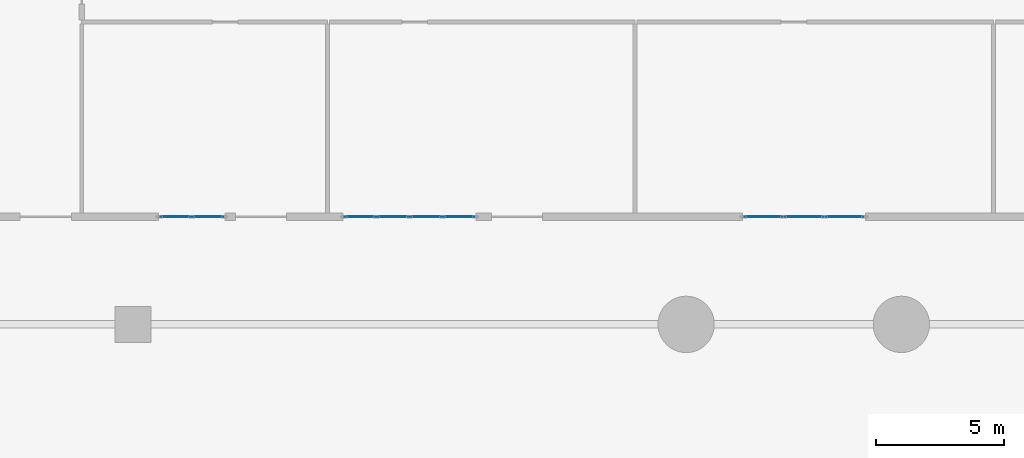
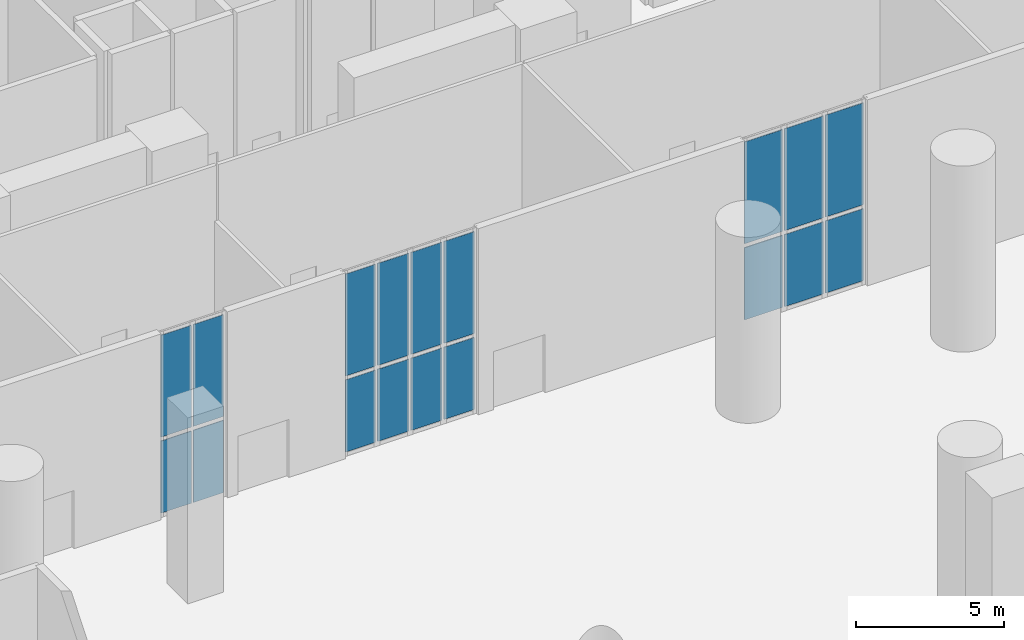
# One storey, part 8 of 17: 18 plates, 3 elements without a shape of their own.
"""IFC4 building model written with IfcOpenShell, lengths in metres."""

from ifc_helpers import new_model, si_unit, direction, frame, origin, origin_2d, place, context, subcontext, project, spatial, rectangle, extrude, material, layer, layer_set, type_object, element, aggregate, save


model = new_model("IFC4")

# Units and contexts
model_context = context("Model", 3, precision=1e-05, world=origin(), true_north=direction((0.0, 1.0)))
body_context = subcontext(model_context, "Body", "Model", "MODEL_VIEW")
ifc_project = project(units=[si_unit("LENGTHUNIT", "METRE"), si_unit("AREAUNIT", "SQUARE_METRE"), si_unit("VOLUMEUNIT", "CUBIC_METRE"), si_unit("PLANEANGLEUNIT", "RADIAN"), si_unit("MASSUNIT", "GRAM", prefix="KILO")], contexts=[model_context])

# Site, building, storey
site_placement = place(None, origin())
site = spatial("IfcSite", under=ifc_project, at=site_placement, CompositionType="ELEMENT")
building_placement = place(site_placement, origin())
building = spatial("IfcBuilding", under=site, at=building_placement, Name="Kaelvorn Grand Hotel", CompositionType="ELEMENT")
storey_placement = place(building_placement, origin())
storey = spatial("IfcBuildingStorey", under=building, at=storey_placement, Name="L00", CompositionType="ELEMENT", Elevation=0.0)

# Curtain wall, plates
ifc_material_1 = material(Name="Anodised Aluminium", Category="aluminium")
ifc_layer_1 = layer(ifc_material_1, 0.239990234375)
ifc_layer_set_1 = layer_set([ifc_layer_1], Name="Anodised Aluminium")
curtain_wall_type = type_object("IfcCurtainWallType", Name="CW-SYS1", PredefinedType="NOTDEFINED", material=ifc_layer_set_1)
curtain_wall_1_placement = place(storey_placement, origin())
curtain_wall_1 = element("IfcCurtainWall", 1, at=curtain_wall_1_placement, inside=storey, type_object=curtain_wall_type, Name="L00 Unitised Curtain Wall CW1 (CW-L00-02)", PredefinedType="NOTDEFINED")
ifc_material_2 = material(Name="Laminated Low-E Glass", Category="glass")
ifc_layer_2 = layer(ifc_material_2, 0.035888671875)
ifc_layer_set_2 = layer_set([ifc_layer_2], Name="Laminated Low-E Glass")
plate_type = type_object("IfcPlateType", Name="CW-SYS1-PAN", PredefinedType="CURTAIN_PANEL", material=ifc_layer_set_2)
plate_1_placement = place(storey_placement, frame((43.97998046875, 19.199951171875, 0.1650390625), z_axis=(0.0, 0.0, 1.0), x_axis=(-1.0, 0.0, 0.0)))
plate_1 = element("IfcPlate", 2, at=plate_1_placement, type_object=plate_type, Name="CW1 panel 1.1", PredefinedType="CURTAIN_PANEL", context=body_context, shape_type="SweptSolid", body=[
    extrude(rectangle(XDim=1.47998046875, YDim=0.035888671875, at=origin_2d()), origin(), (0.0, 0.0, 1.0), 2.97802734375),
])
plate_2_placement = place(storey_placement, frame((43.97998046875, 19.199951171875, 3.30810546875), z_axis=(0.0, 0.0, 1.0), x_axis=(-1.0, 0.0, 0.0)))
plate_2 = element("IfcPlate", 3, at=plate_2_placement, type_object=plate_type, Name="CW1 panel 1.2", PredefinedType="CURTAIN_PANEL", context=body_context, shape_type="SweptSolid", body=[
    extrude(rectangle(XDim=1.47998046875, YDim=0.035888671875, at=origin_2d()), origin(), (0.0, 0.0, 1.0), 4.206787109375),
])
plate_3_placement = place(storey_placement, frame((42.39990234375, 19.199951171875, 0.1650390625), z_axis=(0.0, 0.0, 1.0), x_axis=(-1.0, 0.0, 0.0)))
plate_3 = element("IfcPlate", 4, at=plate_3_placement, type_object=plate_type, Name="CW1 panel 2.1", PredefinedType="CURTAIN_PANEL", context=body_context, shape_type="SweptSolid", body=[
    extrude(rectangle(XDim=1.52001953125, YDim=0.035888671875, at=origin_2d()), origin(), (0.0, 0.0, 1.0), 2.97802734375),
])
plate_4_placement = place(storey_placement, frame((42.39990234375, 19.199951171875, 3.30810546875), z_axis=(0.0, 0.0, 1.0), x_axis=(-1.0, 0.0, 0.0)))
plate_4 = element("IfcPlate", 5, at=plate_4_placement, type_object=plate_type, Name="CW1 panel 2.2", PredefinedType="CURTAIN_PANEL", context=body_context, shape_type="SweptSolid", body=[
    extrude(rectangle(XDim=1.52001953125, YDim=0.035888671875, at=origin_2d()), origin(), (0.0, 0.0, 1.0), 4.206787109375),
])
plate_5_placement = place(storey_placement, frame((40.820068359375, 19.199951171875, 0.1650390625), z_axis=(0.0, 0.0, 1.0), x_axis=(-1.0, 0.0, 0.0)))
plate_5 = element("IfcPlate", 6, at=plate_5_placement, type_object=plate_type, Name="CW1 panel 3.1", PredefinedType="CURTAIN_PANEL", context=body_context, shape_type="SweptSolid", body=[
    extrude(rectangle(XDim=1.47998046875, YDim=0.035888671875, at=origin_2d()), origin(), (0.0, 0.0, 1.0), 2.97802734375),
])
plate_6_placement = place(storey_placement, frame((40.820068359375, 19.199951171875, 3.30810546875), z_axis=(0.0, 0.0, 1.0), x_axis=(-1.0, 0.0, 0.0)))
plate_6 = element("IfcPlate", 7, at=plate_6_placement, type_object=plate_type, Name="CW1 panel 3.2", PredefinedType="CURTAIN_PANEL", context=body_context, shape_type="SweptSolid", body=[
    extrude(rectangle(XDim=1.47998046875, YDim=0.035888671875, at=origin_2d()), origin(), (0.0, 0.0, 1.0), 4.206787109375),
])
aggregate(curtain_wall_1, [plate_1, plate_2, plate_3, plate_4, plate_5, plate_6])

curtain_wall_2_placement = place(storey_placement, origin())
curtain_wall_2 = element("IfcCurtainWall", 8, at=curtain_wall_2_placement, inside=storey, type_object=curtain_wall_type, Name="L00 Unitised Curtain Wall CW1 (CW-L00-03)", PredefinedType="NOTDEFINED")
plate_7_placement = place(storey_placement, frame((28.929931640625, 19.199951171875, 0.1650390625), z_axis=(0.0, 0.0, 1.0), x_axis=(-1.0, 0.0, 0.0)))
plate_7 = element("IfcPlate", 9, at=plate_7_placement, type_object=plate_type, Name="CW1 panel 1.1", PredefinedType="CURTAIN_PANEL", context=body_context, shape_type="SweptSolid", body=[
    extrude(rectangle(XDim=1.179931640625, YDim=0.035888671875, at=origin_2d()), origin(), (0.0, 0.0, 1.0), 2.97802734375),
])
plate_8_placement = place(storey_placement, frame((28.929931640625, 19.199951171875, 3.30810546875), z_axis=(0.0, 0.0, 1.0), x_axis=(-1.0, 0.0, 0.0)))
plate_8 = element("IfcPlate", 10, at=plate_8_placement, type_object=plate_type, Name="CW1 panel 1.2", PredefinedType="CURTAIN_PANEL", context=body_context, shape_type="SweptSolid", body=[
    extrude(rectangle(XDim=1.179931640625, YDim=0.035888671875, at=origin_2d()), origin(), (0.0, 0.0, 1.0), 4.206787109375),
])
plate_9_placement = place(storey_placement, frame((27.64990234375, 19.199951171875, 0.1650390625), z_axis=(0.0, 0.0, 1.0), x_axis=(-1.0, 0.0, 0.0)))
plate_9 = element("IfcPlate", 11, at=plate_9_placement, type_object=plate_type, Name="CW1 panel 2.1", PredefinedType="CURTAIN_PANEL", context=body_context, shape_type="SweptSolid", body=[
    extrude(rectangle(XDim=1.219970703125, YDim=0.035888671875, at=origin_2d()), origin(), (0.0, 0.0, 1.0), 2.97802734375),
])
plate_10_placement = place(storey_placement, frame((27.64990234375, 19.199951171875, 3.30810546875), z_axis=(0.0, 0.0, 1.0), x_axis=(-1.0, 0.0, 0.0)))
plate_10 = element("IfcPlate", 12, at=plate_10_placement, type_object=plate_type, Name="CW1 panel 2.2", PredefinedType="CURTAIN_PANEL", context=body_context, shape_type="SweptSolid", body=[
    extrude(rectangle(XDim=1.219970703125, YDim=0.035888671875, at=origin_2d()), origin(), (0.0, 0.0, 1.0), 4.206787109375),
])
plate_11_placement = place(storey_placement, frame((26.35009765625, 19.199951171875, 0.1650390625), z_axis=(0.0, 0.0, 1.0), x_axis=(-1.0, 0.0, 0.0)))
plate_11 = element("IfcPlate", 13, at=plate_11_placement, type_object=plate_type, Name="CW1 panel 3.1", PredefinedType="CURTAIN_PANEL", context=body_context, shape_type="SweptSolid", body=[
    extrude(rectangle(XDim=1.219970703125, YDim=0.035888671875, at=origin_2d()), origin(), (0.0, 0.0, 1.0), 2.97802734375),
])
plate_12_placement = place(storey_placement, frame((26.35009765625, 19.199951171875, 3.30810546875), z_axis=(0.0, 0.0, 1.0), x_axis=(-1.0, 0.0, 0.0)))
plate_12 = element("IfcPlate", 14, at=plate_12_placement, type_object=plate_type, Name="CW1 panel 3.2", PredefinedType="CURTAIN_PANEL", context=body_context, shape_type="SweptSolid", body=[
    extrude(rectangle(XDim=1.219970703125, YDim=0.035888671875, at=origin_2d()), origin(), (0.0, 0.0, 1.0), 4.206787109375),
])
plate_13_placement = place(storey_placement, frame((25.070068359375, 19.199951171875, 0.1650390625), z_axis=(0.0, 0.0, 1.0), x_axis=(-1.0, 0.0, 0.0)))
plate_13 = element("IfcPlate", 15, at=plate_13_placement, type_object=plate_type, Name="CW1 panel 4.1", PredefinedType="CURTAIN_PANEL", context=body_context, shape_type="SweptSolid", body=[
    extrude(rectangle(XDim=1.179931640625, YDim=0.035888671875, at=origin_2d()), origin(), (0.0, 0.0, 1.0), 2.97802734375),
])
plate_14_placement = place(storey_placement, frame((25.070068359375, 19.199951171875, 3.30810546875), z_axis=(0.0, 0.0, 1.0), x_axis=(-1.0, 0.0, 0.0)))
plate_14 = element("IfcPlate", 16, at=plate_14_placement, type_object=plate_type, Name="CW1 panel 4.2", PredefinedType="CURTAIN_PANEL", context=body_context, shape_type="SweptSolid", body=[
    extrude(rectangle(XDim=1.179931640625, YDim=0.035888671875, at=origin_2d()), origin(), (0.0, 0.0, 1.0), 4.206787109375),
])
aggregate(curtain_wall_2, [plate_7, plate_8, plate_9, plate_10, plate_11, plate_12, plate_13, plate_14])

curtain_wall_3_placement = place(storey_placement, origin())
curtain_wall_3 = element("IfcCurtainWall", 17, at=curtain_wall_3_placement, inside=storey, type_object=curtain_wall_type, Name="L00 Unitised Curtain Wall CW1 (CW-L00-04)", PredefinedType="NOTDEFINED")
plate_15_placement = place(storey_placement, frame((19.1298828125, 19.199951171875, 0.1650390625), z_axis=(0.0, 0.0, 1.0), x_axis=(-1.0, 0.0, 0.0)))
plate_15 = element("IfcPlate", 18, at=plate_15_placement, type_object=plate_type, Name="CW1 panel 1.1", PredefinedType="CURTAIN_PANEL", context=body_context, shape_type="SweptSolid", body=[
    extrude(rectangle(XDim=1.179931640625, YDim=0.035888671875, at=origin_2d()), origin(), (0.0, 0.0, 1.0), 2.97802734375),
])
plate_16_placement = place(storey_placement, frame((19.1298828125, 19.199951171875, 3.30810546875), z_axis=(0.0, 0.0, 1.0), x_axis=(-1.0, 0.0, 0.0)))
plate_16 = element("IfcPlate", 19, at=plate_16_placement, type_object=plate_type, Name="CW1 panel 1.2", PredefinedType="CURTAIN_PANEL", context=body_context, shape_type="SweptSolid", body=[
    extrude(rectangle(XDim=1.179931640625, YDim=0.035888671875, at=origin_2d()), origin(), (0.0, 0.0, 1.0), 4.206787109375),
])
plate_17_placement = place(storey_placement, frame((17.8701171875, 19.199951171875, 0.1650390625), z_axis=(0.0, 0.0, 1.0), x_axis=(-1.0, 0.0, 0.0)))
plate_17 = element("IfcPlate", 20, at=plate_17_placement, type_object=plate_type, Name="CW1 panel 2.1", PredefinedType="CURTAIN_PANEL", context=body_context, shape_type="SweptSolid", body=[
    extrude(rectangle(XDim=1.179931640625, YDim=0.035888671875, at=origin_2d()), origin(), (0.0, 0.0, 1.0), 2.97802734375),
])
plate_18_placement = place(storey_placement, frame((17.8701171875, 19.199951171875, 3.30810546875), z_axis=(0.0, 0.0, 1.0), x_axis=(-1.0, 0.0, 0.0)))
plate_18 = element("IfcPlate", 21, at=plate_18_placement, type_object=plate_type, Name="CW1 panel 2.2", PredefinedType="CURTAIN_PANEL", context=body_context, shape_type="SweptSolid", body=[
    extrude(rectangle(XDim=1.179931640625, YDim=0.035888671875, at=origin_2d()), origin(), (0.0, 0.0, 1.0), 4.206787109375),
])
aggregate(curtain_wall_3, [plate_15, plate_16, plate_17, plate_18])

save(model, "model.ifc")
